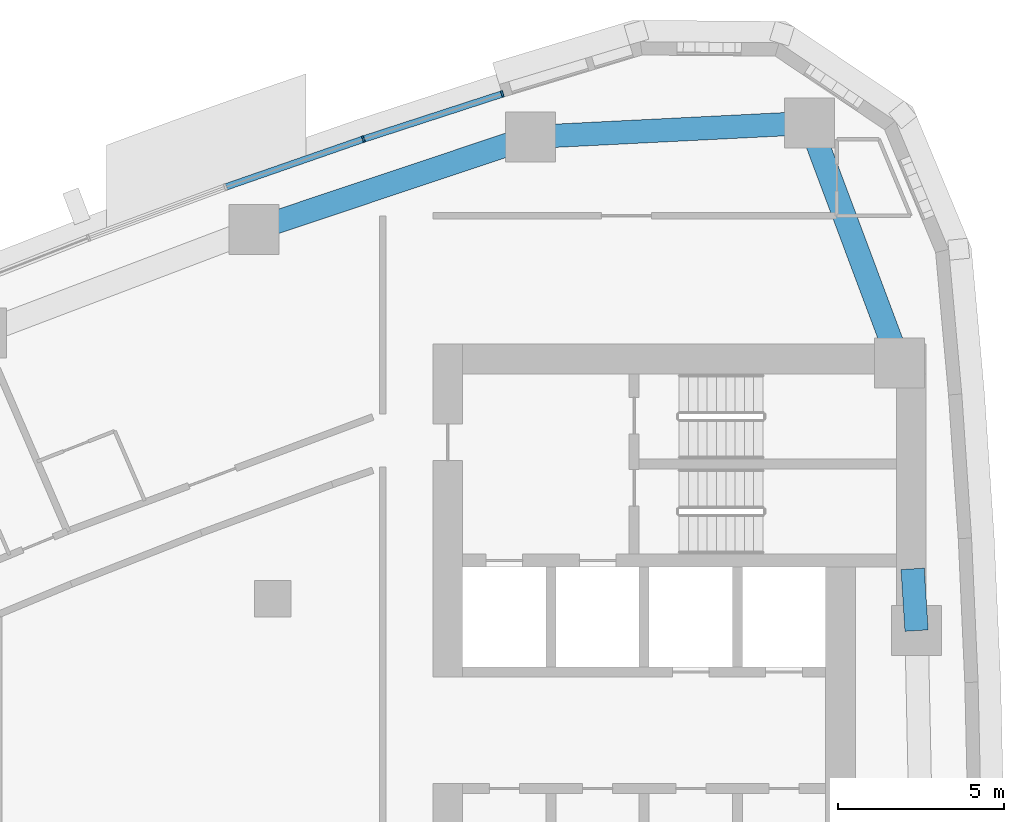
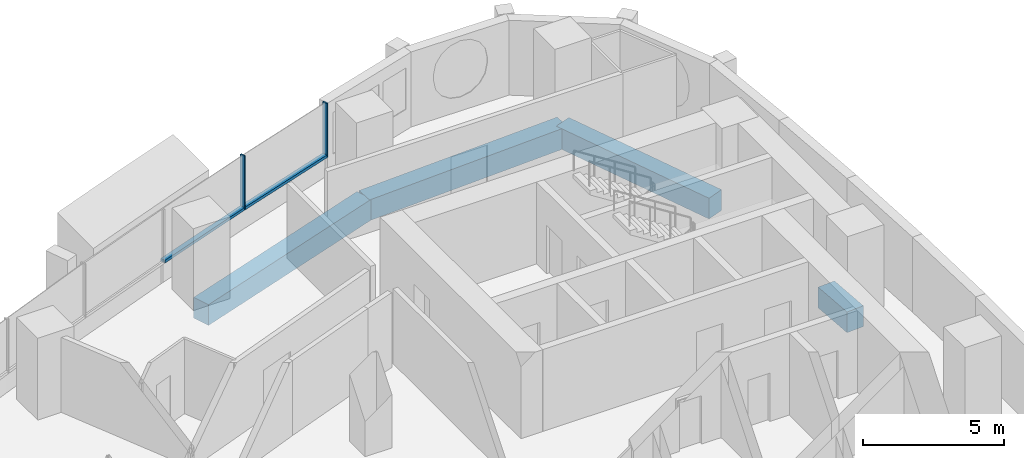
# One storey, part 6 of 17: 4 beams, 4 members, 1 element without a shape of its own.
"""IFC4 building model written with IfcOpenShell, lengths in metres."""

from ifc_helpers import new_model, si_unit, direction, frame, origin, origin_2d, place, context, subcontext, project, spatial, rectangle, extrude, material, layer, layer_set, material_profile, profile_set, type_object, element, aggregate, save


model = new_model("IFC4")

# Units and contexts
model_context = context("Model", 3, precision=1e-05, world=origin(), true_north=direction((0.0, 1.0)))
body_context = subcontext(model_context, "Body", "Model", "MODEL_VIEW")
ifc_project = project(units=[si_unit("LENGTHUNIT", "METRE"), si_unit("AREAUNIT", "SQUARE_METRE"), si_unit("VOLUMEUNIT", "CUBIC_METRE"), si_unit("PLANEANGLEUNIT", "RADIAN"), si_unit("MASSUNIT", "GRAM", prefix="KILO")], contexts=[model_context])

# Site, building, storey
site_placement = place(None, origin())
site = spatial("IfcSite", under=ifc_project, at=site_placement, CompositionType="ELEMENT")
building_placement = place(site_placement, origin())
building = spatial("IfcBuilding", under=site, at=building_placement, Name="Ostrand Prow Hotel Tower", CompositionType="ELEMENT")
storey_placement = place(building_placement, frame((0.0, 0.0, 133.75)))
storey = spatial("IfcBuildingStorey", under=building, at=storey_placement, Name="L32", CompositionType="ELEMENT", Elevation=133.75)

# Beams
ifc_material_1 = material(Name="Concrete C70/85", Category="concrete")
ifc_material_profile_1 = material_profile(ifc_material_1, rectangle(XDim=0.699951171875, YDim=0.89990234375, at=origin_2d()), Name="RC 700x900")
ifc_profile_set_1 = profile_set([ifc_material_profile_1], Name="Concrete C70/85")
beam_type = type_object("IfcBeamType", Name="Edge beam 700x900 C70/85", PredefinedType="SPANDREL", material=ifc_profile_set_1)
beam_1_placement = place(storey_placement, frame((64.32958984375, 8.044677734375, -0.75), z_axis=(-0.063563790544, 0.997977777574, 0.0), x_axis=(-0.997977777574, -0.063563790544, 0.0)))
element("IfcBeam", 1, at=beam_1_placement, inside=storey, type_object=beam_type, Name="Edge beam B4-B5", PredefinedType="SPANDREL", context=body_context, shape_type="SweptSolid", body=[
    extrude(rectangle(XDim=0.699951171875, YDim=0.89990234375, at=origin_2d()), origin(), (0.0, 0.0, 1.0), 1.85888671875),
])
beam_2_placement = place(storey_placement, frame((63.584716796875, 16.699951171875, -0.75), z_axis=(-0.350602524344, 0.93652435629, 0.0), x_axis=(-0.93652435629, -0.350602524344, 0.0)))
element("IfcBeam", 2, at=beam_2_placement, inside=storey, type_object=beam_type, Name="Edge beam B5-NE", PredefinedType="SPANDREL", context=body_context, shape_type="SweptSolid", body=[
    extrude(rectangle(XDim=0.699951171875, YDim=0.89990234375, at=origin_2d()), origin(), (0.0, 0.0, 1.0), 7.037353515625),
])
beam_3_placement = place(storey_placement, frame((61.117431640625, 23.29052734375, -0.75), z_axis=(-0.99873741544, -0.050235196825, 0.0), x_axis=(0.050235196825, -0.99873741544, 0.0)))
element("IfcBeam", 3, at=beam_3_placement, inside=storey, type_object=beam_type, Name="Edge beam NE-N1", PredefinedType="SPANDREL", context=body_context, shape_type="SweptSolid", body=[
    extrude(rectangle(XDim=0.699951171875, YDim=0.89990234375, at=origin_2d()), origin(), (0.0, 0.0, 1.0), 8.38818359375),
])
beam_4_placement = place(storey_placement, frame((52.73974609375, 22.869140625, -0.75), z_axis=(-0.948376051094, -0.317148018616, 0.0), x_axis=(0.317148018616, -0.948376051094, 0.0)))
element("IfcBeam", 4, at=beam_4_placement, inside=storey, type_object=beam_type, Name="Edge beam N1-N2", PredefinedType="SPANDREL", context=body_context, shape_type="SweptSolid", body=[
    extrude(rectangle(XDim=0.699951171875, YDim=0.89990234375, at=origin_2d()), origin(), (0.0, 0.0, 1.0), 8.75341796875),
])

# Curtain wall, members
ifc_material_2 = material(Name="Insulated glass in bronze anodised frame", Category="glass")
ifc_layer = layer(ifc_material_2, 0.199951171875)
ifc_layer_set = layer_set([ifc_layer], Name="Insulated glass in bronze anodised frame")
curtain_wall_type = type_object("IfcCurtainWallType", Name="Strip curtain wall, fritted glass over bronze spandrel", PredefinedType="NOTDEFINED", material=ifc_layer_set)
curtain_wall_placement = place(storey_placement, origin())
curtain_wall = element("IfcCurtainWall", 5, at=curtain_wall_placement, inside=storey, type_object=curtain_wall_type, Name="CW1 run CWN1", PredefinedType="NOTDEFINED")
ifc_material_3 = material(Name="Bronze anodised aluminium", Category="aluminium")
ifc_material_profile_2 = material_profile(ifc_material_3, rectangle(XDim=0.199951171875, YDim=0.06005859375, at=origin_2d()), Name="Mullion 60x200 bronze anodised aluminium")
ifc_profile_set_2 = profile_set([ifc_material_profile_2], Name="Bronze anodised aluminium")
member_type_1 = type_object("IfcMemberType", Name="Mullion 60x200 bronze anodised aluminium", PredefinedType="MULLION", material=ifc_profile_set_2)
member_1_placement = place(storey_placement, frame((51.888916015625, 24.16162109375, 0.89990234375), z_axis=(0.0, 0.0, 1.0), x_axis=(0.309380491373, -0.950938332153, 0.0)))
member_1 = element("IfcMember", 6, at=member_1_placement, type_object=member_type_1, Name="CW1 mullion 1", PredefinedType="MULLION", context=body_context, shape_type="SweptSolid", body=[
    extrude(rectangle(XDim=0.199951171875, YDim=0.06005859375, at=origin_2d()), origin(), (0.0, 0.0, 1.0), 2.35009765625),
])
member_2_placement = place(storey_placement, frame((47.718017578125, 22.8046875, 0.89990234375), z_axis=(0.0, 0.0, 1.0), x_axis=(0.328428177424, -0.944528947293, 0.0)))
member_2 = element("IfcMember", 7, at=member_2_placement, type_object=member_type_1, Name="CW1 mullion 2", PredefinedType="MULLION", context=body_context, shape_type="SweptSolid", body=[
    extrude(rectangle(XDim=0.199951171875, YDim=0.06005859375, at=origin_2d()), origin(), (0.0, 0.0, 1.0), 2.35009765625),
])
ifc_material_4 = material(Name="Bronze anodised aluminium", Category="aluminium")
ifc_material_profile_3 = material_profile(ifc_material_4, rectangle(XDim=0.199951171875, YDim=0.1201171875, at=origin_2d()), Name="Transom 120x200 bronze anodised aluminium")
ifc_profile_set_3 = profile_set([ifc_material_profile_3], Name="Bronze anodised aluminium")
member_type_2 = type_object("IfcMemberType", Name="Transom 120x200 bronze anodised aluminium", PredefinedType="USERDEFINED", material=ifc_profile_set_3)
member_3_placement = place(storey_placement, frame((51.8603515625, 24.15234375, 0.9599609375), z_axis=(-0.950938634958, -0.309379560643, 0.0), x_axis=(0.309379560643, -0.950938634958, 0.0)))
member_3 = element("IfcMember", 8, at=member_3_placement, type_object=member_type_2, Name="CW1 transom 1.1", ObjectType="TRANSOM", PredefinedType="USERDEFINED", context=body_context, shape_type="SweptSolid", body=[
    extrude(rectangle(XDim=0.199951171875, YDim=0.1201171875, at=origin_2d()), origin(), (0.0, 0.0, 1.0), 4.325927734375),
])
member_4_placement = place(storey_placement, frame((47.689697265625, 22.794921875, 0.9599609375), z_axis=(-0.944524201162, -0.328441826538, 0.0), x_axis=(0.328441826538, -0.944524201162, 0.0)))
member_4 = element("IfcMember", 9, at=member_4_placement, type_object=member_type_2, Name="CW1 transom 2.1", ObjectType="TRANSOM", PredefinedType="USERDEFINED", context=body_context, shape_type="SweptSolid", body=[
    extrude(rectangle(XDim=0.199951171875, YDim=0.1201171875, at=origin_2d()), origin(), (0.0, 0.0, 1.0), 4.326171875),
])
aggregate(curtain_wall, [member_1, member_2, member_3, member_4])

save(model, "model.ifc")
